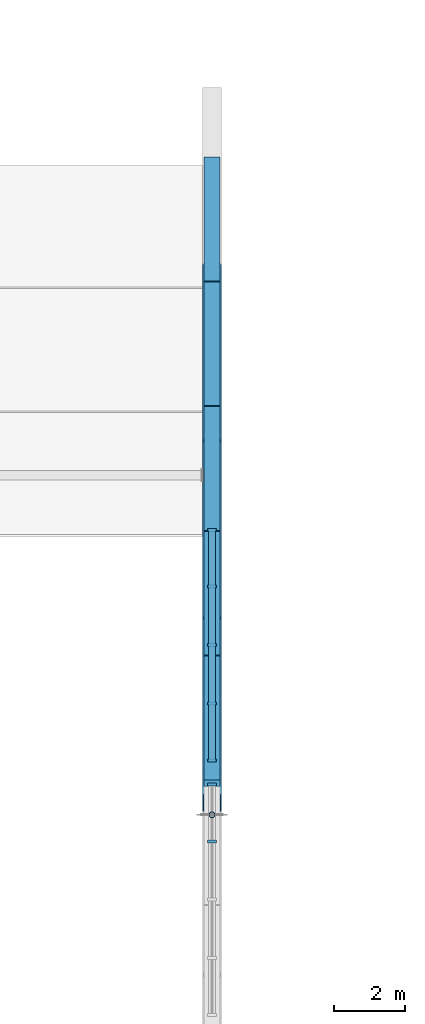
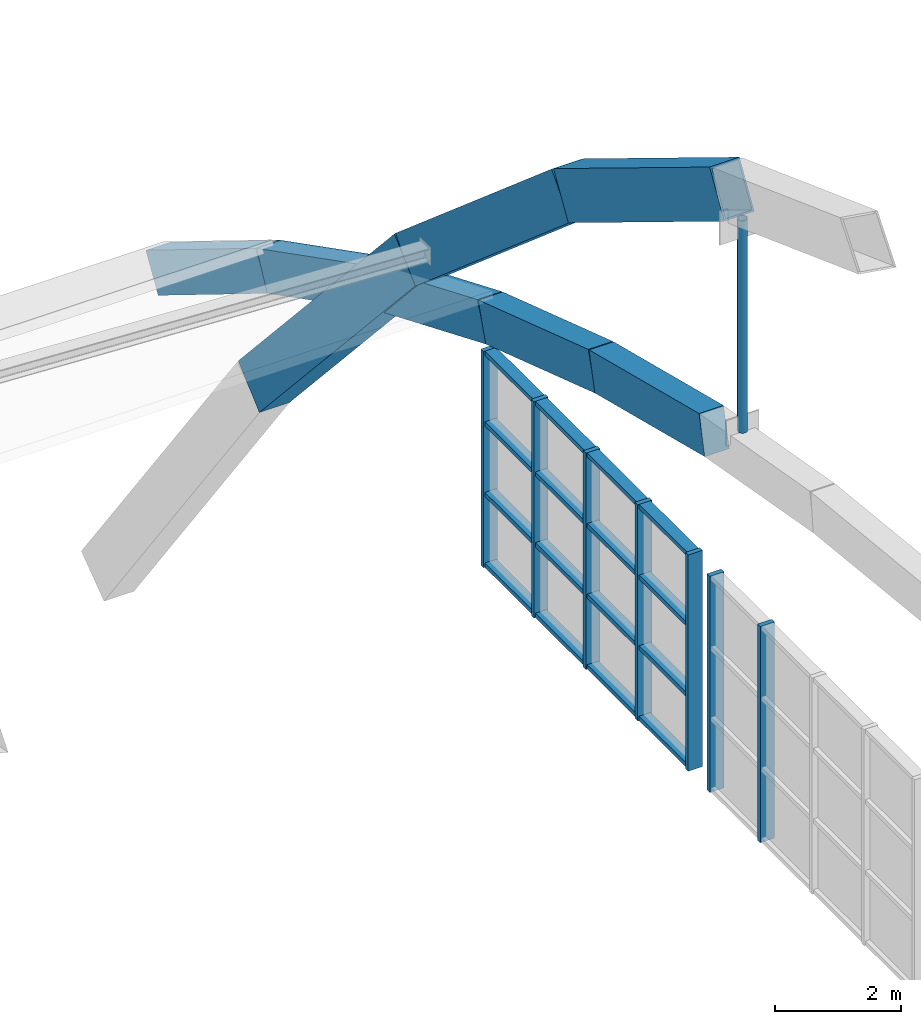
# One storey, part 29 of 64: 15 members, 5 beams, 2 elements without a shape of their own.
"""IFC4 building model written with IfcOpenShell, lengths in metres."""

from ifc_helpers import new_model, si_unit, direction, frame, origin, origin_2d, place, context, subcontext, project, spatial, rectangle, hollow_rectangle, hollow_circle, extrude, material, material_profile, profile_set, type_object, element, aggregate, save


model = new_model("IFC4")

# Units and contexts
model_context = context("Model", 3, precision=1e-05, world=origin(), true_north=direction((0.0, 1.0)))
body_context = subcontext(model_context, "Body", "Model", "MODEL_VIEW")
ifc_project = project(units=[si_unit("LENGTHUNIT", "METRE"), si_unit("AREAUNIT", "SQUARE_METRE"), si_unit("VOLUMEUNIT", "CUBIC_METRE"), si_unit("PLANEANGLEUNIT", "RADIAN"), si_unit("MASSUNIT", "GRAM", prefix="KILO")], contexts=[model_context])

# Site, building, storey
site_placement = place(None, origin())
site = spatial("IfcSite", under=ifc_project, at=site_placement, CompositionType="ELEMENT")
building_placement = place(site_placement, origin())
building = spatial("IfcBuilding", under=site, at=building_placement, Name="Leyfeld Transit Interchange", CompositionType="ELEMENT")
storey_placement = place(building_placement, frame((0.0, 0.0, 9.60009765625)))
storey = spatial("IfcBuildingStorey", under=building, at=storey_placement, Name="L02", CompositionType="ELEMENT", Elevation=9.60009765625)

# Beams
ifc_material_1 = material(Name="Concrete C40/50", Category="concrete")
ifc_material_profile_1 = material_profile(ifc_material_1, rectangle(XDim=0.449951171875, YDim=0.75, at=origin_2d()), Name="RC 750x450 RIB")
ifc_profile_set_1 = profile_set([ifc_material_profile_1], Name="Concrete C40/50")
beam_type = type_object("IfcBeamType", Name="BM-RIB-750x450", PredefinedType="USERDEFINED", material=ifc_profile_set_1)
beam_1_placement = place(storey_placement, frame((100.800048828125, 42.89990234375, 6.3251953125), z_axis=(0.0, 0.969486598247, -0.245144316312), x_axis=(-1.0, 0.0, 0.0)))
element("IfcBeam", 1, at=beam_1_placement, inside=storey, type_object=beam_type, Name="Concourse Vault Rib A8 Seg 12", ObjectType="ARCH_RIB", PredefinedType="USERDEFINED", context=body_context, shape_type="SweptSolid", body=[
    extrude(rectangle(XDim=0.449951171875, YDim=0.75, at=origin_2d()), origin(), (0.0, 0.0, 1.0), 3.610107421875),
])
beam_2_placement = place(storey_placement, frame((100.800048828125, 46.39990234375, 5.440185546875), z_axis=(0.0, 0.949033570575, -0.315175002058), x_axis=(-1.0, 0.0, 0.0)))
element("IfcBeam", 2, at=beam_2_placement, inside=storey, type_object=beam_type, Name="Concourse Vault Rib A8 Seg 13", ObjectType="ARCH_RIB", PredefinedType="USERDEFINED", context=body_context, shape_type="SweptSolid", body=[
    extrude(rectangle(XDim=0.449951171875, YDim=0.75, at=origin_2d()), origin(), (0.0, 0.0, 1.0), 3.68798828125),
])
beam_3_placement = place(storey_placement, frame((100.800048828125, 49.89990234375, 4.27783203125), z_axis=(0.0, 0.922787193718, -0.385309998716), x_axis=(-1.0, 0.0, 0.0)))
element("IfcBeam", 3, at=beam_3_placement, inside=storey, type_object=beam_type, Name="Concourse Vault Rib A8 Seg 14", ObjectType="ARCH_RIB", PredefinedType="USERDEFINED", context=body_context, shape_type="SweptSolid", body=[
    extrude(rectangle(XDim=0.449951171875, YDim=0.75, at=origin_2d()), origin(), (0.0, 0.0, 1.0), 3.79296875),
])
beam_4_placement = place(storey_placement, frame((100.800048828125, 53.39990234375, 2.81640625), z_axis=(0.0, 0.890316086289, -0.455343020694), x_axis=(-1.0, 0.0, 0.0)))
element("IfcBeam", 4, at=beam_4_placement, inside=storey, type_object=beam_type, Name="Concourse Vault Rib A8 Seg 15", ObjectType="ARCH_RIB", PredefinedType="USERDEFINED", context=body_context, shape_type="SweptSolid", body=[
    extrude(rectangle(XDim=0.449951171875, YDim=0.75, at=origin_2d()), origin(), (0.0, 0.0, 1.0), 3.93115234375),
])
beam_5_placement = place(storey_placement, frame((100.800048828125, 56.89990234375, 1.0263671875), z_axis=(0.0, 0.850840137882, -0.525424647089), x_axis=(-1.0, 0.0, 0.0)))
element("IfcBeam", 5, at=beam_5_placement, inside=storey, type_object=beam_type, Name="Concourse Vault Rib A8 Seg 16", ObjectType="ARCH_RIB", PredefinedType="USERDEFINED", context=body_context, shape_type="SweptSolid", body=[
    extrude(rectangle(XDim=0.449951171875, YDim=0.75, at=origin_2d()), origin(), (0.0, 0.0, 1.0), 4.113525390625),
])

# Curtain wall, members
ifc_material_2 = material(Name="Anodised aluminium EN AW-6060 T66", Category="aluminium")
curtain_wall_type = type_object("IfcCurtainWallType", Name="CW-SYS-GAB-7200", PredefinedType="NOTDEFINED", material=ifc_material_2)
curtain_wall_1_placement = place(storey_placement, origin())
curtain_wall_1 = element("IfcCurtainWall", 6, at=curtain_wall_1_placement, inside=storey, type_object=curtain_wall_type, Name="Curtain Wall CW-L02-GABE-04", PredefinedType="NOTDEFINED")
ifc_material_profile_2 = material_profile(ifc_material_2, rectangle(XDim=0.0849609375, YDim=0.260009765625, at=origin_2d()), Name="CW-M 85x260")
ifc_profile_set_2 = profile_set([ifc_material_profile_2], Name="Anodised aluminium EN AW-6060 T66")
member_type_1 = type_object("IfcMemberType", Name="CW-MUL-220x80", PredefinedType="MULLION", material=ifc_profile_set_2)
member_1_placement = place(storey_placement, frame((100.800048828125, 41.25, -0.60009765625), z_axis=(0.0, 0.0, 1.0), x_axis=(0.0, 1.0, 0.0)))
member_1 = element("IfcMember", 7, at=member_1_placement, type_object=member_type_1, Name="Curtain Mullion CW-L02-GABE-04-M04", PredefinedType="MULLION", context=body_context, shape_type="SweptSolid", body=[
    extrude(rectangle(XDim=0.0849609375, YDim=0.260009765625, at=origin_2d()), origin(), (0.0, 0.0, 1.0), 4.199951171875),
])
member_2_placement = place(storey_placement, frame((100.800048828125, 42.857421875, -0.60009765625), z_axis=(0.0, 0.0, 1.0), x_axis=(0.0, 1.0, 0.0)))
member_2 = element("IfcMember", 8, at=member_2_placement, type_object=member_type_1, Name="Curtain Mullion CW-L02-GABE-04-M05", PredefinedType="MULLION", context=body_context, shape_type="SweptSolid", body=[
    extrude(rectangle(XDim=0.0849609375, YDim=0.260009765625, at=origin_2d()), origin(), (0.0, 0.0, 1.0), 4.199951171875),
])
aggregate(curtain_wall_1, [member_1, member_2])

curtain_wall_2_placement = place(storey_placement, origin())
curtain_wall_2 = element("IfcCurtainWall", 9, at=curtain_wall_2_placement, inside=storey, type_object=curtain_wall_type, Name="Curtain Wall CW-L02-GABE-05", PredefinedType="NOTDEFINED")
member_3_placement = place(storey_placement, frame((100.800048828125, 43.54248046875, -0.60009765625), z_axis=(0.0, 0.0, 1.0), x_axis=(0.0, 1.0, 0.0)))
member_3 = element("IfcMember", 10, at=member_3_placement, type_object=member_type_1, Name="Curtain Mullion CW-L02-GABE-05-M01", PredefinedType="MULLION", context=body_context, shape_type="SweptSolid", body=[
    extrude(rectangle(XDim=0.0849609375, YDim=0.260009765625, at=origin_2d()), origin(), (0.0, 0.0, 1.0), 4.199951171875),
])
member_4_placement = place(storey_placement, frame((100.800048828125, 45.14990234375, -0.60009765625), z_axis=(0.0, 0.0, 1.0), x_axis=(0.0, 1.0, 0.0)))
member_4 = element("IfcMember", 11, at=member_4_placement, type_object=member_type_1, Name="Curtain Mullion CW-L02-GABE-05-M02", PredefinedType="MULLION", context=body_context, shape_type="SweptSolid", body=[
    extrude(rectangle(XDim=0.0849609375, YDim=0.260009765625, at=origin_2d()), origin(), (0.0, 0.0, 1.0), 4.199951171875),
])
member_5_placement = place(storey_placement, frame((100.800048828125, 46.800048828125, -0.60009765625), z_axis=(0.0, 0.0, 1.0), x_axis=(0.0, 1.0, 0.0)))
member_5 = element("IfcMember", 12, at=member_5_placement, type_object=member_type_1, Name="Curtain Mullion CW-L02-GABE-05-M03", PredefinedType="MULLION", context=body_context, shape_type="SweptSolid", body=[
    extrude(rectangle(XDim=0.0849609375, YDim=0.260009765625, at=origin_2d()), origin(), (0.0, 0.0, 1.0), 4.199951171875),
])
member_6_placement = place(storey_placement, frame((100.800048828125, 48.449951171875, -0.60009765625), z_axis=(0.0, 0.0, 1.0), x_axis=(0.0, 1.0, 0.0)))
member_6 = element("IfcMember", 13, at=member_6_placement, type_object=member_type_1, Name="Curtain Mullion CW-L02-GABE-05-M04", PredefinedType="MULLION", context=body_context, shape_type="SweptSolid", body=[
    extrude(rectangle(XDim=0.0849609375, YDim=0.260009765625, at=origin_2d()), origin(), (0.0, 0.0, 1.0), 4.199951171875),
])
member_7_placement = place(storey_placement, frame((100.800048828125, 50.0576171875, -0.60009765625), z_axis=(0.0, 0.0, 1.0), x_axis=(0.0, 1.0, 0.0)))
member_7 = element("IfcMember", 14, at=member_7_placement, type_object=member_type_1, Name="Curtain Mullion CW-L02-GABE-05-M05", PredefinedType="MULLION", context=body_context, shape_type="SweptSolid", body=[
    extrude(rectangle(XDim=0.0849609375, YDim=0.260009765625, at=origin_2d()), origin(), (0.0, 0.0, 1.0), 4.199951171875),
])
ifc_material_profile_3 = material_profile(ifc_material_2, rectangle(XDim=0.2099609375, YDim=0.0849609375, at=origin_2d()), Name="CW-TRN-200x80")
ifc_profile_set_3 = profile_set([ifc_material_profile_3], Name="Anodised aluminium EN AW-6060 T66")
member_type_2 = type_object("IfcMemberType", Name="CW-TRN-200x80", PredefinedType="USERDEFINED", material=ifc_profile_set_3)
member_8_placement = place(storey_placement, frame((100.800048828125, 43.5, -0.5576171875), z_axis=(0.0, 1.0, 0.0), x_axis=(-1.0, 0.0, 0.0)))
member_8 = element("IfcMember", 15, at=member_8_placement, type_object=member_type_2, Name="Curtain Transom CW-L02-GABE-05-T01", ObjectType="TRANSOM", PredefinedType="USERDEFINED", context=body_context, shape_type="SweptSolid", body=[
    extrude(rectangle(XDim=0.2099609375, YDim=0.0849609375, at=origin_2d()), origin(), (0.0, 0.0, 1.0), 6.60009765625),
])
member_9_placement = place(storey_placement, frame((100.800048828125, 43.5, 0.814208984375), z_axis=(0.0, 1.0, 0.0), x_axis=(-1.0, 0.0, 0.0)))
member_9 = element("IfcMember", 16, at=member_9_placement, type_object=member_type_2, Name="Curtain Transom CW-L02-GABE-05-T02", ObjectType="TRANSOM", PredefinedType="USERDEFINED", context=body_context, shape_type="SweptSolid", body=[
    extrude(rectangle(XDim=0.2099609375, YDim=0.0849609375, at=origin_2d()), origin(), (0.0, 0.0, 1.0), 6.60009765625),
])
member_10_placement = place(storey_placement, frame((100.800048828125, 43.5, 2.185791015625), z_axis=(0.0, 1.0, 0.0), x_axis=(-1.0, 0.0, 0.0)))
member_10 = element("IfcMember", 17, at=member_10_placement, type_object=member_type_2, Name="Curtain Transom CW-L02-GABE-05-T03", ObjectType="TRANSOM", PredefinedType="USERDEFINED", context=body_context, shape_type="SweptSolid", body=[
    extrude(rectangle(XDim=0.2099609375, YDim=0.0849609375, at=origin_2d()), origin(), (0.0, 0.0, 1.0), 6.60009765625),
])
member_11_placement = place(storey_placement, frame((100.800048828125, 43.5, 3.557373046875), z_axis=(0.0, 1.0, 0.0), x_axis=(-1.0, 0.0, 0.0)))
member_11 = element("IfcMember", 18, at=member_11_placement, type_object=member_type_2, Name="Curtain Transom CW-L02-GABE-05-T04", ObjectType="TRANSOM", PredefinedType="USERDEFINED", context=body_context, shape_type="SweptSolid", body=[
    extrude(rectangle(XDim=0.2099609375, YDim=0.0849609375, at=origin_2d()), origin(), (0.0, 0.0, 1.0), 6.60009765625),
])
aggregate(curtain_wall_2, [member_3, member_4, member_5, member_6, member_7, member_8, member_9, member_10, member_11])

# Members
ifc_material_3 = material(Name="Steel S355J2 - Ochre Arch", Category="steel")
ifc_material_profile_4 = material_profile(ifc_material_3, hollow_rectangle(XDim=0.550048828125, YDim=0.89990234375, WallThickness=0.031982421875, at=origin_2d()), Name="RHS 900x550x32")
ifc_profile_set_4 = profile_set([ifc_material_profile_4], Name="Steel S355J2 - Ochre Arch")
member_type_3 = type_object("IfcMemberType", Name="MEM-ARCH-900", PredefinedType="USERDEFINED", material=ifc_profile_set_4)
member_12_placement = place(storey_placement, frame((100.800048828125, 42.333251953125, 11.36669921875), z_axis=(0.0, 0.852786153257, -0.522260257738), x_axis=(-1.0, 0.0, 0.0)))
element("IfcMember", 19, at=member_12_placement, inside=storey, type_object=member_type_3, Name="Primary Steel Arch GP-E Seg 9", ObjectType="ARCH_SEGMENT", PredefinedType="USERDEFINED", context=body_context, shape_type="SweptSolid", body=[
    extrude(hollow_rectangle(XDim=0.550048828125, YDim=0.89990234375, WallThickness=0.031982421875, at=origin_2d()), origin(), (0.0, 0.0, 1.0), 5.82421875),
])
member_13_placement = place(storey_placement, frame((100.800048828125, 47.300048828125, 8.324951171875), z_axis=(0.0, 0.759143322259, -0.650923510306), x_axis=(-1.0, 0.0, 0.0)))
element("IfcMember", 20, at=member_13_placement, inside=storey, type_object=member_type_3, Name="Primary Steel Arch GP-E Seg 10", ObjectType="ARCH_SEGMENT", PredefinedType="USERDEFINED", context=body_context, shape_type="SweptSolid", body=[
    extrude(hollow_rectangle(XDim=0.550048828125, YDim=0.89990234375, WallThickness=0.031982421875, at=origin_2d()), origin(), (0.0, 0.0, 1.0), 6.542236328125),
])
member_14_placement = place(storey_placement, frame((100.800048828125, 52.2666015625, 4.06640625), z_axis=(0.0, 0.671906380628, -0.740636088556), x_axis=(-1.0, 0.0, 0.0)))
element("IfcMember", 21, at=member_14_placement, inside=storey, type_object=member_type_3, Name="Primary Steel Arch GP-E Seg 11", ObjectType="ARCH_SEGMENT", PredefinedType="USERDEFINED", context=body_context, shape_type="SweptSolid", body=[
    extrude(hollow_rectangle(XDim=0.550048828125, YDim=0.89990234375, WallThickness=0.031982421875, at=origin_2d()), origin(), (0.0, 0.0, 1.0), 7.39208984375),
])
ifc_material_4 = material(Name="Steel S355J2", Category="steel")
ifc_material_profile_5 = material_profile(ifc_material_4, hollow_circle(Radius=0.084228515625, WallThickness=0.008056640625, at=origin_2d()), Name="CHS 168.3x8")
ifc_profile_set_5 = profile_set([ifc_material_profile_5], Name="Steel S355J2")
member_type_4 = type_object("IfcMemberType", Name="MEM-HGR-168", PredefinedType="USERDEFINED", material=ifc_profile_set_5)
member_15_placement = place(storey_placement, frame((100.800048828125, 42.0, 6.885009765625), z_axis=(0.0, 0.0, 1.0), x_axis=(1.0, 0.0, 0.0)))
element("IfcMember", 22, at=member_15_placement, inside=storey, type_object=member_type_4, Name="Arch Tension Hanger GP-E H5", ObjectType="SUSPENDER", PredefinedType="USERDEFINED", context=body_context, shape_type="SweptSolid", body=[
    extrude(hollow_circle(Radius=0.084228515625, WallThickness=0.008056640625, at=origin_2d()), origin(), (0.0, 0.0, 1.0), 4.12451171875),
])

save(model, "model.ifc")
